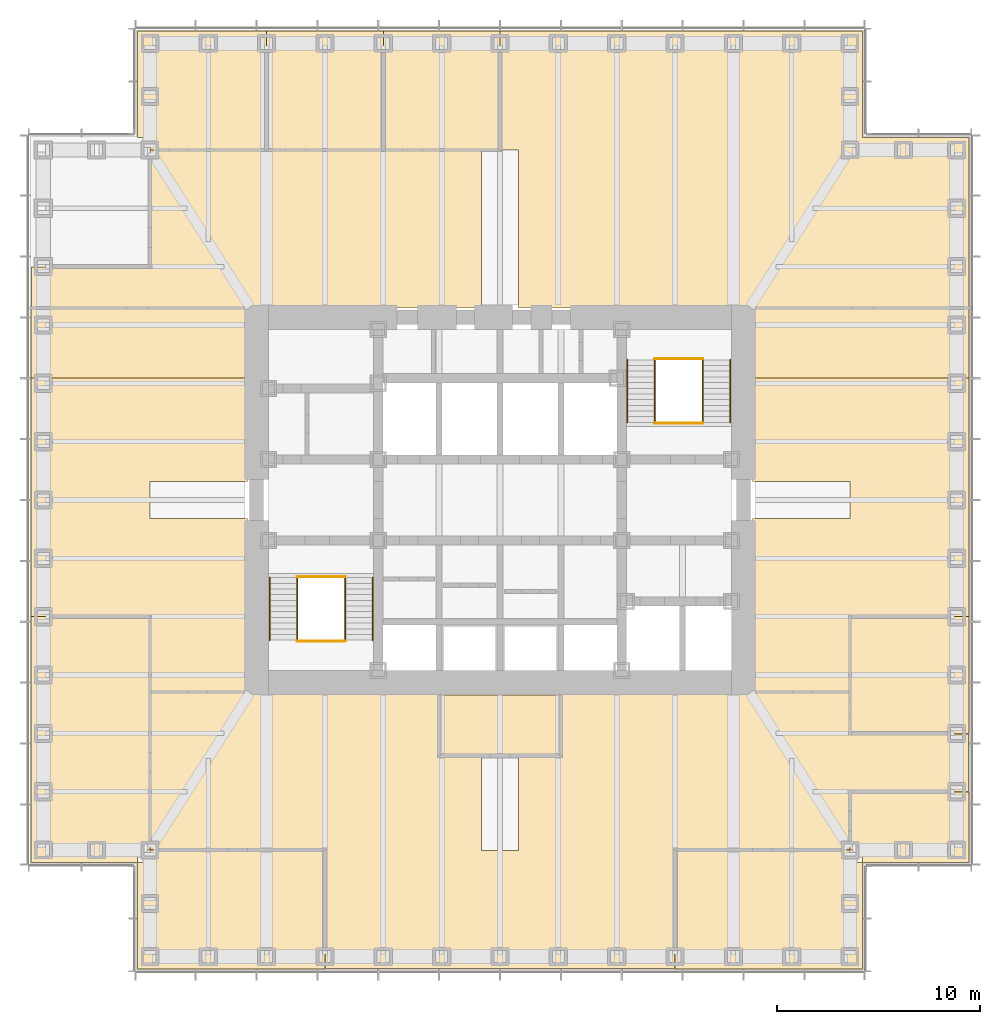
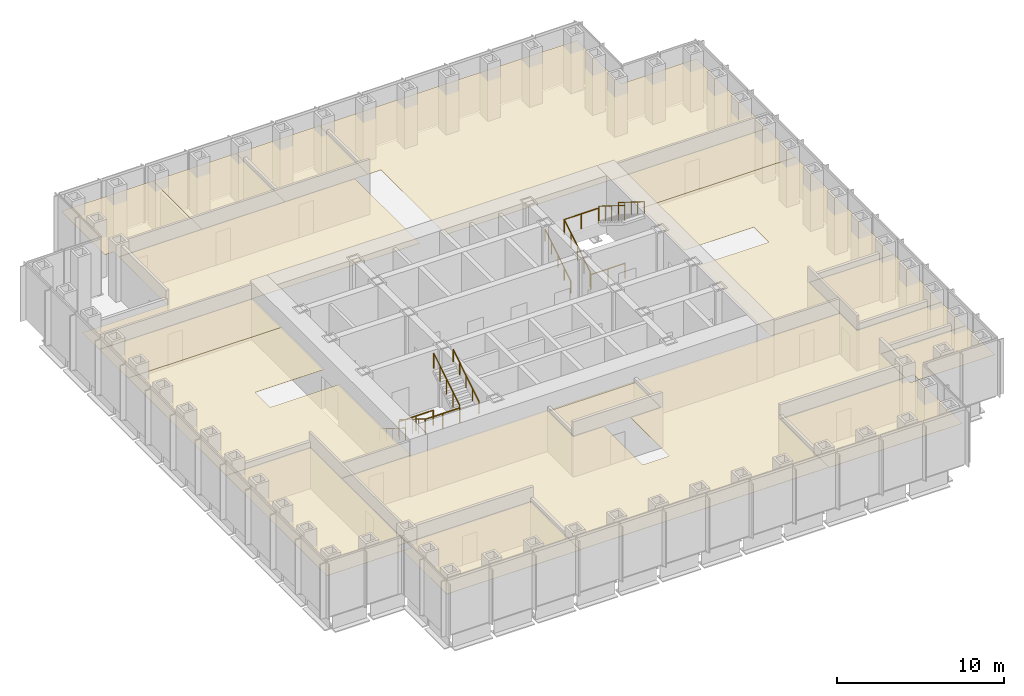
# One storey, part 16 of 16: 16 coverings, 12 railings.
"""IFC4 building model written with IfcOpenShell, lengths in metres."""

from ifc_helpers import new_model, si_unit, direction, frame, origin, origin_2d, place, context, subcontext, project, spatial, polyline, circle, outline, extrude, material, layer, layer_set, type_object, element, save


model = new_model("IFC4")

# Units and contexts
model_context = context("Model", 3, precision=1e-05, world=origin(), true_north=direction((0.0, 1.0)))
body_context = subcontext(model_context, "Body", "Model", "MODEL_VIEW")
ifc_project = project(units=[si_unit("LENGTHUNIT", "METRE"), si_unit("AREAUNIT", "SQUARE_METRE"), si_unit("VOLUMEUNIT", "CUBIC_METRE"), si_unit("PLANEANGLEUNIT", "RADIAN"), si_unit("MASSUNIT", "GRAM", prefix="KILO")], contexts=[model_context])

# Site, building, storey
site_placement = place(None, origin())
site = spatial("IfcSite", under=ifc_project, at=site_placement, CompositionType="ELEMENT")
building_placement = place(site_placement, origin())
building = spatial("IfcBuilding", under=site, at=building_placement, Name="Daluyong Arena Tower", CompositionType="ELEMENT")
storey_placement = place(building_placement, frame((0.0, 0.0, 137.5)))
storey = spatial("IfcBuildingStorey", under=building, at=storey_placement, Name="L30", CompositionType="ELEMENT", Elevation=137.5)

# Coverings
ifc_material_1 = material(Name="Mineral fibre ceiling tile", Category="gypsum board")
ifc_layer = layer(ifc_material_1, 0.02001953125)
ifc_layer_set = layer_set([ifc_layer], Name="Mineral fibre ceiling tile")
covering_type = type_object("IfcCoveringType", Name="Office ceiling", PredefinedType="CEILING", material=ifc_layer_set)
covering_1_placement = place(storey_placement, frame((0.0, 0.0, 2.89990234375)))
element("IfcCovering", 1, at=covering_1_placement, inside=storey, type_object=covering_type, Name="ceiling L30-01", PredefinedType="CEILING", context=body_context, shape_type="SweptSolid", body=[
    extrude(outline(polyline([(38.14990234375, 62.14990234375), (38.14990234375, 56.89990234375), (47.375, 56.89990234375), (47.375, 62.75), (38.75, 62.75), (38.75, 62.14990234375), (38.14990234375, 62.14990234375)])), origin(), (0.0, 0.0, 1.0), 0.02001953125),
])
covering_2_placement = place(storey_placement, frame((0.0, 0.0, 2.89990234375)))
element("IfcCovering", 2, at=covering_2_placement, inside=storey, type_object=covering_type, Name="ceiling L30-02", PredefinedType="CEILING", context=body_context, shape_type="SweptSolid", body=[
    extrude(outline(polyline([(73.85009765625, 56.89990234375), (73.85009765625, 62.14990234375), (73.25, 62.14990234375), (73.25, 62.75), (64.625, 62.75), (64.625, 56.89990234375), (73.85009765625, 56.89990234375)])), origin(), (0.0, 0.0, 1.0), 0.02001953125),
])
covering_3_placement = place(storey_placement, frame((0.0, 0.0, 2.89990234375)))
element("IfcCovering", 3, at=covering_3_placement, inside=storey, type_object=covering_type, Name="ceiling L30-03", PredefinedType="CEILING", context=body_context, shape_type="SweptSolid", body=[
    extrude(outline(polyline([(73.85009765625, 62.14990234375), (79.10009765625, 62.14990234375), (79.10009765625, 65.625), (73.25, 65.625), (73.25, 62.75), (73.85009765625, 62.75), (73.85009765625, 62.14990234375)])), origin(), (0.0, 0.0, 1.0), 0.02001953125),
])
covering_4_placement = place(storey_placement, frame((0.0, 0.0, 2.89990234375)))
element("IfcCovering", 4, at=covering_4_placement, inside=storey, type_object=covering_type, Name="ceiling L30-04", PredefinedType="CEILING", context=body_context, shape_type="SweptSolid", body=[
    extrude(outline(polyline([(73.25, 68.5), (79.10009765625, 68.5), (79.10009765625, 74.25), (73.25, 74.25), (73.25, 68.5)])), origin(), (0.0, 0.0, 1.0), 0.02001953125),
])
covering_5_placement = place(storey_placement, frame((0.0, 0.0, 2.89990234375)))
element("IfcCovering", 5, at=covering_5_placement, inside=storey, type_object=covering_type, Name="ceiling L30-05", PredefinedType="CEILING", context=body_context, shape_type="SweptSolid", body=[
    extrude(outline(polyline([(44.5, 97.25), (44.5, 103.10009765625), (38.14990234375, 103.10009765625), (38.14990234375, 97.85009765625), (38.75, 97.85009765625), (38.75, 97.25), (44.5, 97.25)])), origin(), (0.0, 0.0, 1.0), 0.02001953125),
])
covering_6_placement = place(storey_placement, frame((0.0, 0.0, 2.89990234375)))
element("IfcCovering", 6, at=covering_6_placement, inside=storey, type_object=covering_type, Name="ceiling L30-06", PredefinedType="CEILING", context=body_context, shape_type="SweptSolid", body=[
    extrude(outline(polyline([(50.25, 97.25), (50.25, 103.10009765625), (44.5, 103.10009765625), (44.5, 97.25), (50.25, 97.25)])), origin(), (0.0, 0.0, 1.0), 0.02001953125),
])
covering_7_placement = place(storey_placement, frame((0.0, 0.0, 2.89990234375)))
element("IfcCovering", 7, at=covering_7_placement, inside=storey, type_object=covering_type, Name="ceiling L30-07", PredefinedType="CEILING", context=body_context, shape_type="SweptSolid", body=[
    extrude(outline(polyline([(56.0, 97.25), (56.0, 103.10009765625), (50.25, 103.10009765625), (50.25, 97.25), (56.0, 97.25)])), origin(), (0.0, 0.0, 1.0), 0.02001953125),
])
covering_8_placement = place(storey_placement, frame((0.0, 0.0, 2.89990234375)))
element("IfcCovering", 8, at=covering_8_placement, inside=storey, type_object=covering_type, Name="ceiling L30-08", PredefinedType="CEILING", context=body_context, shape_type="SweptSolid", body=[
    extrude(outline(polyline([(32.89990234375, 62.14990234375), (38.14990234375, 62.14990234375), (38.14990234375, 62.75), (38.75, 62.75), (38.75, 74.25), (32.89990234375, 74.25), (32.89990234375, 62.14990234375)])), origin(), (0.0, 0.0, 1.0), 0.02001953125),
])
covering_9_placement = place(storey_placement, frame((0.0, 0.0, 2.89990234375)))
element("IfcCovering", 9, at=covering_9_placement, inside=storey, type_object=covering_type, Name="ceiling L30-10", PredefinedType="CEILING", context=body_context, shape_type="SweptSolid", body=[
    extrude(outline(polyline([(53.0, 67.39990234375), (59.0, 67.39990234375), (59.0, 70.39990234375), (53.0, 70.39990234375), (53.0, 67.39990234375)])), origin(), (0.0, 0.0, 1.0), 0.02001953125),
])
covering_10_placement = place(storey_placement, frame((0.0, 0.0, 2.89990234375)))
element("IfcCovering", 10, at=covering_10_placement, inside=storey, type_object=covering_type, Name="ceiling L30-15", PredefinedType="CEILING", context=body_context, shape_type="SweptSolid", body=[
    extrude(outline(polyline([(73.22998046875, 70.530029296875), (38.77001953125, 70.530029296875), (38.77001953125, 62.77001953125), (47.39501953125, 62.77001953125), (47.39501953125, 56.919921875), (64.60498046875, 56.919921875), (64.60498046875, 62.77001953125), (73.22998046875, 62.77001953125), (73.22998046875, 65.64501953125), (79.080078125, 65.64501953125), (79.080078125, 68.47998046875), (73.22998046875, 68.47998046875), (73.22998046875, 70.530029296875)]), holes=[polyline([(59.02001953125, 67.3798828125), (56.919921875, 67.3798828125), (56.919921875, 62.72998046875), (55.080078125, 62.72998046875), (55.080078125, 67.3798828125), (52.97998046875, 67.3798828125), (52.97998046875, 70.419921875), (59.02001953125, 70.419921875), (59.02001953125, 67.3798828125)])]), origin(), (0.0, 0.0, 1.0), 0.02001953125),
])
covering_11_placement = place(storey_placement, frame((0.0, 0.0, 2.89990234375)))
element("IfcCovering", 11, at=covering_11_placement, inside=storey, type_object=covering_type, Name="ceiling L30-16", PredefinedType="CEILING", context=body_context, shape_type="SweptSolid", body=[
    extrude(outline(polyline([(38.760009765625, 97.239990234375), (38.760009765625, 91.489990234375), (32.909912109375, 91.489990234375), (32.909912109375, 89.4599609375), (55.090087890625, 89.4599609375), (55.090087890625, 97.239990234375), (38.760009765625, 97.239990234375)])), origin(), (0.0, 0.0, 1.0), 0.02001953125),
])
covering_12_placement = place(storey_placement, frame((0.0, 0.0, 2.89990234375)))
element("IfcCovering", 12, at=covering_12_placement, inside=storey, type_object=covering_type, Name="ceiling L30-17", PredefinedType="CEILING", context=body_context, shape_type="SweptSolid", body=[
    extrude(outline(polyline([(56.89990234375, 89.449951171875), (79.10009765625, 89.449951171875), (79.10009765625, 97.85009765625), (73.85009765625, 97.85009765625), (73.85009765625, 103.10009765625), (56.0, 103.10009765625), (56.0, 97.25), (56.89990234375, 97.25), (56.89990234375, 89.449951171875)])), origin(), (0.0, 0.0, 1.0), 0.02001953125),
])
covering_13_placement = place(storey_placement, frame((0.0, 0.0, 2.89990234375)))
element("IfcCovering", 13, at=covering_13_placement, inside=storey, type_object=covering_type, Name="ceiling L30-18", PredefinedType="CEILING", context=body_context, shape_type="SweptSolid", body=[
    extrude(outline(polyline([(43.550048828125, 80.89990234375), (43.550048828125, 86.0), (32.89990234375, 86.0), (32.89990234375, 74.25), (38.75, 74.25), (38.75, 70.550048828125), (43.550048828125, 70.550048828125), (43.550048828125, 79.10009765625), (38.75, 79.10009765625), (38.75, 80.89990234375), (43.550048828125, 80.89990234375)])), origin(), (0.0, 0.0, 1.0), 0.02001953125),
])
covering_14_placement = place(storey_placement, frame((0.0, 0.0, 2.89990234375)))
element("IfcCovering", 14, at=covering_14_placement, inside=storey, type_object=covering_type, Name="ceiling L30-19", PredefinedType="CEILING", context=body_context, shape_type="SweptSolid", body=[
    extrude(outline(polyline([(43.550048828125, 86.0), (43.550048828125, 89.449951171875), (32.89990234375, 89.449951171875), (32.89990234375, 86.0), (43.550048828125, 86.0)])), origin(), (0.0, 0.0, 1.0), 0.02001953125),
])
covering_15_placement = place(storey_placement, frame((0.0, 0.0, 2.89990234375)))
element("IfcCovering", 15, at=covering_15_placement, inside=storey, type_object=covering_type, Name="ceiling L30-20", PredefinedType="CEILING", context=body_context, shape_type="SweptSolid", body=[
    extrude(outline(polyline([(68.449951171875, 79.10009765625), (68.449951171875, 70.550048828125), (73.25, 70.550048828125), (73.25, 74.25), (79.10009765625, 74.25), (79.10009765625, 86.0), (68.449951171875, 86.0), (68.449951171875, 80.89990234375), (73.25, 80.89990234375), (73.25, 79.10009765625), (68.449951171875, 79.10009765625)])), origin(), (0.0, 0.0, 1.0), 0.02001953125),
])
covering_16_placement = place(storey_placement, frame((0.0, 0.0, 2.89990234375)))
element("IfcCovering", 16, at=covering_16_placement, inside=storey, type_object=covering_type, Name="ceiling L30-21", PredefinedType="CEILING", context=body_context, shape_type="SweptSolid", body=[
    extrude(outline(polyline([(68.449951171875, 89.449951171875), (68.449951171875, 86.0), (79.10009765625, 86.0), (79.10009765625, 89.449951171875), (68.449951171875, 89.449951171875)])), origin(), (0.0, 0.0, 1.0), 0.02001953125),
])

# Railings
ifc_material_2 = material(Name="Stainless steel handrail", Category="steel")
railing_type_1 = type_object("IfcRailingType", Name="Stair handrail", PredefinedType="HANDRAIL", material=ifc_material_2)
railing_1_placement = place(storey_placement, frame((44.64990234375, 76.175048828125, 0.175048828125)))
element("IfcRailing", 17, at=railing_1_placement, inside=storey, type_object=railing_type_1, Name="exit stair A handrail L30", PredefinedType="HANDRAIL", context=body_context, shape_type="SweptSolid", body=[
    extrude(circle(Radius=0.02392578125, at=origin_2d()), frame((0.0, 0.0, 0.8759765625), z_axis=(0.0, -0.847998304005, 0.529998940003), x_axis=(1.0, 0.0, 0.0)), (0.0, 0.0, 1.0), 3.632080078125),
    extrude(circle(Radius=0.02099609375, at=origin_2d()), origin(), (0.0, 0.0, 1.0), 0.851806640625),
    extrude(circle(Radius=0.02099609375, at=origin_2d()), frame((0.0, -0.77001953125, 0.481201171875)), (0.0, 0.0, 1.0), 0.851806640625),
    extrude(circle(Radius=0.02099609375, at=origin_2d()), frame((0.0, -1.5400390625, 0.96240234375)), (0.0, 0.0, 1.0), 0.851806640625),
    extrude(circle(Radius=0.02099609375, at=origin_2d()), frame((0.0, -2.31005859375, 1.44384765625)), (0.0, 0.0, 1.0), 0.851806640625),
    extrude(circle(Radius=0.02099609375, at=origin_2d()), frame((0.0, -3.080078125, 1.925048828125)), (0.0, 0.0, 1.0), 0.851806640625),
])
for number, where, name in (
    (18, (49.72509765625, 73.094970703125, 2.27490234375), "exit stair A handrail L30"),
    (19, (62.27490234375, 83.824951171875, 0.175048828125), "exit stair B handrail L30"),
):
    element("IfcRailing", number, at=place(storey_placement, frame(where)), inside=storey, type_object=railing_type_1, Name=name, PredefinedType="HANDRAIL", context=body_context, shape_type="SweptSolid", body=[
        extrude(circle(Radius=0.02392578125, at=origin_2d()), frame((0.0, 0.0, 0.8759765625), z_axis=(0.0, 0.847998304005, 0.529998940003), x_axis=(-1.0, 0.0, 0.0)), (0.0, 0.0, 1.0), 3.632080078125),
        extrude(circle(Radius=0.02099609375, at=origin_2d()), origin(), (0.0, 0.0, 1.0), 0.851806640625),
        extrude(circle(Radius=0.02099609375, at=origin_2d()), frame((0.0, 0.77001953125, 0.481201171875)), (0.0, 0.0, 1.0), 0.851806640625),
        extrude(circle(Radius=0.02099609375, at=origin_2d()), frame((0.0, 1.5400390625, 0.96240234375)), (0.0, 0.0, 1.0), 0.851806640625),
        extrude(circle(Radius=0.02099609375, at=origin_2d()), frame((0.0, 2.31005859375, 1.44384765625)), (0.0, 0.0, 1.0), 0.851806640625),
        extrude(circle(Radius=0.02099609375, at=origin_2d()), frame((0.0, 3.080078125, 1.925048828125)), (0.0, 0.0, 1.0), 0.851806640625),
    ])
railing_2_placement = place(storey_placement, frame((67.35009765625, 86.905029296875, 2.27490234375)))
element("IfcRailing", 20, at=railing_2_placement, inside=storey, type_object=railing_type_1, Name="exit stair B handrail L30", PredefinedType="HANDRAIL", context=body_context, shape_type="SweptSolid", body=[
    extrude(circle(Radius=0.02392578125, at=origin_2d()), frame((0.0, 0.0, 0.8759765625), z_axis=(0.0, -0.847998304005, 0.529998940003), x_axis=(1.0, 0.0, 0.0)), (0.0, 0.0, 1.0), 3.632080078125),
    extrude(circle(Radius=0.02099609375, at=origin_2d()), origin(), (0.0, 0.0, 1.0), 0.851806640625),
    extrude(circle(Radius=0.02099609375, at=origin_2d()), frame((0.0, -0.77001953125, 0.481201171875)), (0.0, 0.0, 1.0), 0.851806640625),
    extrude(circle(Radius=0.02099609375, at=origin_2d()), frame((0.0, -1.5400390625, 0.96240234375)), (0.0, 0.0, 1.0), 0.851806640625),
    extrude(circle(Radius=0.02099609375, at=origin_2d()), frame((0.0, -2.31005859375, 1.44384765625)), (0.0, 0.0, 1.0), 0.851806640625),
    extrude(circle(Radius=0.02099609375, at=origin_2d()), frame((0.0, -3.080078125, 1.925048828125)), (0.0, 0.0, 1.0), 0.851806640625),
])
ifc_material_3 = material(Name="Steel balustrade", Category="steel")
railing_type_2 = type_object("IfcRailingType", Name="Stair well guard 1100", PredefinedType="GUARDRAIL", material=ifc_material_3)
railing_3_placement = place(storey_placement, frame((46.0, 76.175048828125, 0.175048828125)))
element("IfcRailing", 21, at=railing_3_placement, inside=storey, type_object=railing_type_2, Name="exit stair A well guard L30", PredefinedType="GUARDRAIL", context=body_context, shape_type="SweptSolid", body=[
    extrude(circle(Radius=0.02392578125, at=origin_2d()), frame((0.0, 0.0, 1.076171875), z_axis=(0.0, -0.847998304005, 0.529998940003), x_axis=(1.0, 0.0, 0.0)), (0.0, 0.0, 1.0), 3.632080078125),
    extrude(circle(Radius=0.02099609375, at=origin_2d()), origin(), (0.0, 0.0, 1.0), 1.052001953125),
    extrude(circle(Radius=0.02099609375, at=origin_2d()), frame((0.0, -0.77001953125, 0.481201171875)), (0.0, 0.0, 1.0), 1.052001953125),
    extrude(circle(Radius=0.02099609375, at=origin_2d()), frame((0.0, -1.5400390625, 0.96240234375)), (0.0, 0.0, 1.0), 1.052001953125),
    extrude(circle(Radius=0.02099609375, at=origin_2d()), frame((0.0, -2.31005859375, 1.44384765625)), (0.0, 0.0, 1.0), 1.052001953125),
    extrude(circle(Radius=0.02099609375, at=origin_2d()), frame((0.0, -3.080078125, 1.925048828125)), (0.0, 0.0, 1.0), 1.052001953125),
])
railing_4_placement = place(storey_placement, frame((48.375, 73.094970703125, 2.27490234375)))
element("IfcRailing", 22, at=railing_4_placement, inside=storey, type_object=railing_type_2, Name="exit stair A well guard L30", PredefinedType="GUARDRAIL", context=body_context, shape_type="SweptSolid", body=[
    extrude(circle(Radius=0.02392578125, at=origin_2d()), frame((0.0, 0.0, 1.076171875), z_axis=(0.0, 0.847998304005, 0.529998940003), x_axis=(-1.0, 0.0, 0.0)), (0.0, 0.0, 1.0), 3.632080078125),
    extrude(circle(Radius=0.02099609375, at=origin_2d()), origin(), (0.0, 0.0, 1.0), 1.052001953125),
    extrude(circle(Radius=0.02099609375, at=origin_2d()), frame((0.0, 0.77001953125, 0.481201171875)), (0.0, 0.0, 1.0), 1.052001953125),
    extrude(circle(Radius=0.02099609375, at=origin_2d()), frame((0.0, 1.5400390625, 0.96240234375)), (0.0, 0.0, 1.0), 1.052001953125),
    extrude(circle(Radius=0.02099609375, at=origin_2d()), frame((0.0, 2.31005859375, 1.44384765625)), (0.0, 0.0, 1.0), 1.052001953125),
    extrude(circle(Radius=0.02099609375, at=origin_2d()), frame((0.0, 3.080078125, 1.925048828125)), (0.0, 0.0, 1.0), 1.052001953125),
])
for number, where, name in (
    (23, (46.0, 73.044921875, 2.10009765625), "exit stair A landing guard L30"),
    (24, (46.0, 76.22509765625, 0.0), "exit stair A floor landing guard L30"),
):
    element("IfcRailing", number, at=place(storey_placement, frame(where)), inside=storey, type_object=railing_type_2, Name=name, PredefinedType="GUARDRAIL", context=body_context, shape_type="SweptSolid", body=[
        extrude(circle(Radius=0.02392578125, at=origin_2d()), frame((0.0, 0.0, 1.076171875), z_axis=(1.0, 0.0, 0.0), x_axis=(0.0, 1.0, 0.0)), (0.0, 0.0, 1.0), 2.375),
        extrude(circle(Radius=0.02099609375, at=origin_2d()), origin(), (0.0, 0.0, 1.0), 1.052001953125),
        extrude(circle(Radius=0.02099609375, at=origin_2d()), frame((1.1875, 0.0, 0.0)), (0.0, 0.0, 1.0), 1.052001953125),
        extrude(circle(Radius=0.02099609375, at=origin_2d()), frame((2.375, 0.0, 0.0)), (0.0, 0.0, 1.0), 1.052001953125),
    ])
railing_5_placement = place(storey_placement, frame((63.625, 83.824951171875, 0.175048828125)))
element("IfcRailing", 25, at=railing_5_placement, inside=storey, type_object=railing_type_2, Name="exit stair B well guard L30", PredefinedType="GUARDRAIL", context=body_context, shape_type="SweptSolid", body=[
    extrude(circle(Radius=0.02392578125, at=origin_2d()), frame((0.0, 0.0, 1.076171875), z_axis=(0.0, 0.847998304005, 0.529998940003), x_axis=(-1.0, 0.0, 0.0)), (0.0, 0.0, 1.0), 3.632080078125),
    extrude(circle(Radius=0.02099609375, at=origin_2d()), origin(), (0.0, 0.0, 1.0), 1.052001953125),
    extrude(circle(Radius=0.02099609375, at=origin_2d()), frame((0.0, 0.77001953125, 0.481201171875)), (0.0, 0.0, 1.0), 1.052001953125),
    extrude(circle(Radius=0.02099609375, at=origin_2d()), frame((0.0, 1.5400390625, 0.96240234375)), (0.0, 0.0, 1.0), 1.052001953125),
    extrude(circle(Radius=0.02099609375, at=origin_2d()), frame((0.0, 2.31005859375, 1.44384765625)), (0.0, 0.0, 1.0), 1.052001953125),
    extrude(circle(Radius=0.02099609375, at=origin_2d()), frame((0.0, 3.080078125, 1.925048828125)), (0.0, 0.0, 1.0), 1.052001953125),
])
railing_6_placement = place(storey_placement, frame((66.0, 86.905029296875, 2.27490234375)))
element("IfcRailing", 26, at=railing_6_placement, inside=storey, type_object=railing_type_2, Name="exit stair B well guard L30", PredefinedType="GUARDRAIL", context=body_context, shape_type="SweptSolid", body=[
    extrude(circle(Radius=0.02392578125, at=origin_2d()), frame((0.0, 0.0, 1.076171875), z_axis=(0.0, -0.847998304005, 0.529998940003), x_axis=(1.0, 0.0, 0.0)), (0.0, 0.0, 1.0), 3.632080078125),
    extrude(circle(Radius=0.02099609375, at=origin_2d()), origin(), (0.0, 0.0, 1.0), 1.052001953125),
    extrude(circle(Radius=0.02099609375, at=origin_2d()), frame((0.0, -0.77001953125, 0.481201171875)), (0.0, 0.0, 1.0), 1.052001953125),
    extrude(circle(Radius=0.02099609375, at=origin_2d()), frame((0.0, -1.5400390625, 0.96240234375)), (0.0, 0.0, 1.0), 1.052001953125),
    extrude(circle(Radius=0.02099609375, at=origin_2d()), frame((0.0, -2.31005859375, 1.44384765625)), (0.0, 0.0, 1.0), 1.052001953125),
    extrude(circle(Radius=0.02099609375, at=origin_2d()), frame((0.0, -3.080078125, 1.925048828125)), (0.0, 0.0, 1.0), 1.052001953125),
])
for number, where, name in (
    (27, (63.625, 86.955078125, 2.10009765625), "exit stair B landing guard L30"),
    (28, (63.625, 83.77490234375, 0.0), "exit stair B floor landing guard L30"),
):
    element("IfcRailing", number, at=place(storey_placement, frame(where)), inside=storey, type_object=railing_type_2, Name=name, PredefinedType="GUARDRAIL", context=body_context, shape_type="SweptSolid", body=[
        extrude(circle(Radius=0.02392578125, at=origin_2d()), frame((0.0, 0.0, 1.076171875), z_axis=(1.0, 0.0, 0.0), x_axis=(0.0, 1.0, 0.0)), (0.0, 0.0, 1.0), 2.375),
        extrude(circle(Radius=0.02099609375, at=origin_2d()), origin(), (0.0, 0.0, 1.0), 1.052001953125),
        extrude(circle(Radius=0.02099609375, at=origin_2d()), frame((1.1875, 0.0, 0.0)), (0.0, 0.0, 1.0), 1.052001953125),
        extrude(circle(Radius=0.02099609375, at=origin_2d()), frame((2.375, 0.0, 0.0)), (0.0, 0.0, 1.0), 1.052001953125),
    ])

save(model, "model.ifc")
